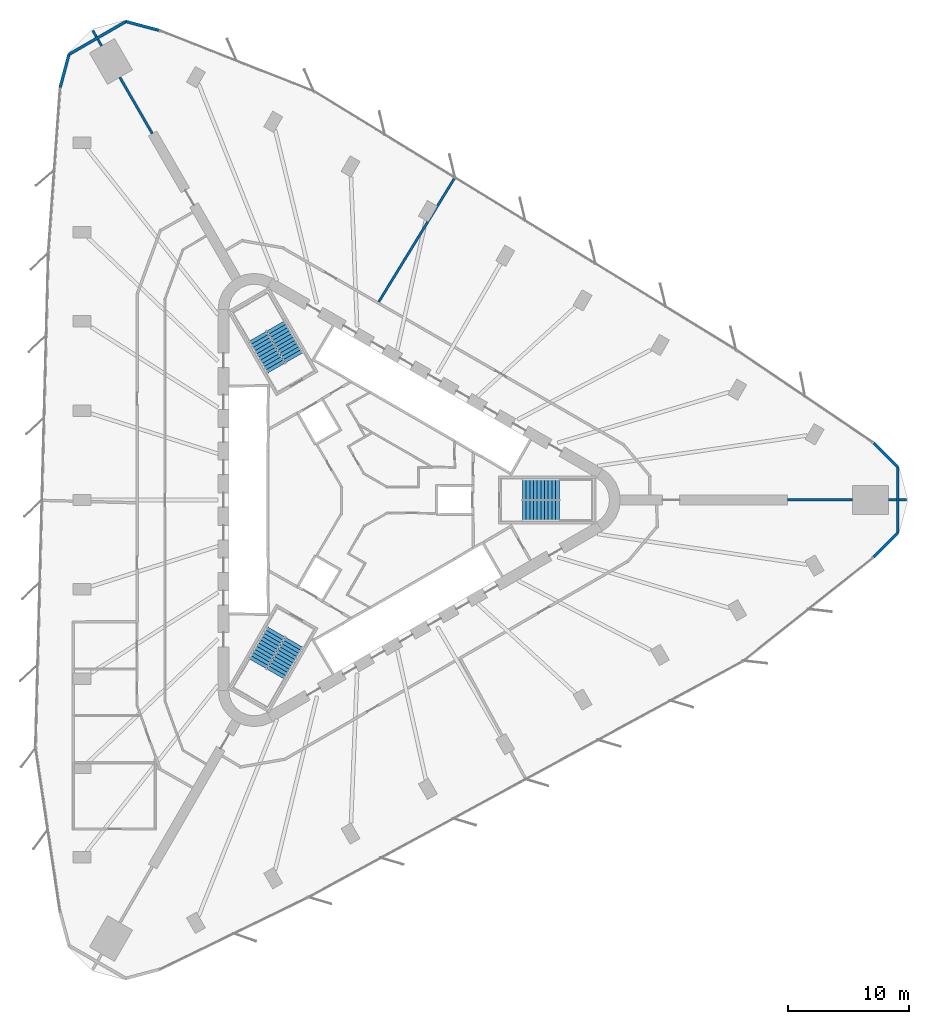
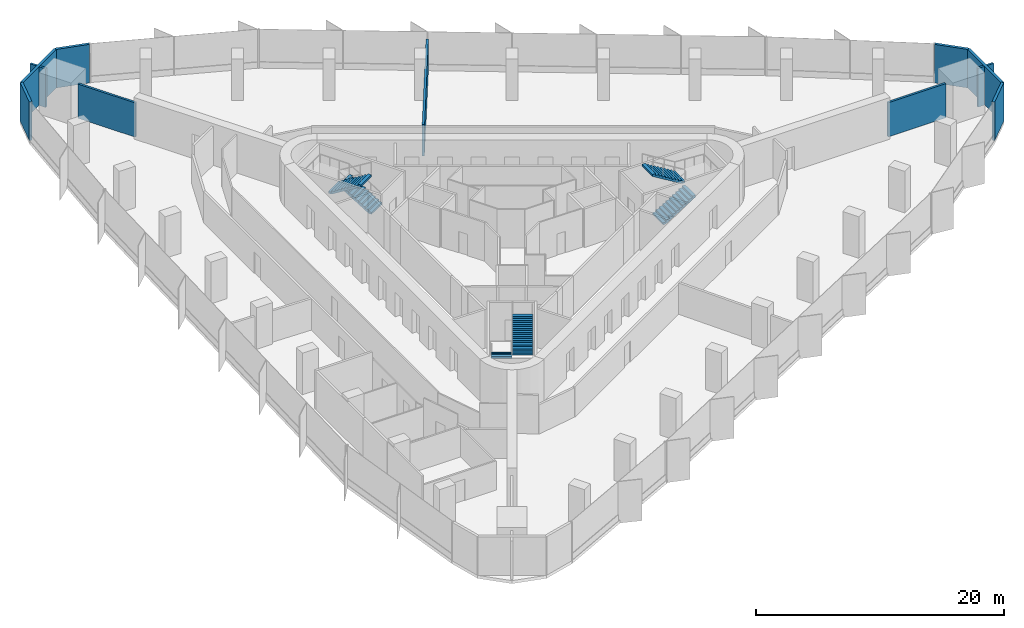
# One storey, part 12 of 13: 13 walls, 6 stair flights, 3 elements without a shape of their own.
"""IFC4 building model written with IfcOpenShell, lengths in metres."""

import ifcopenshell
import ifcopenshell.guid

model = None  # the IFC model being written
_history = None  # IfcOwnerHistory: only IFC2X3 demands one
_inside = {}  # id of a spatial element -> (the spatial element, [elements in it])
_under = {}  # id of a project, library or spatial element -> (it, [spatial elements below it])
_declared = {}  # id of a project -> (the project, [libraries it declares])
_typed = {}  # id of a type object -> (the type object, [elements of that type])
_made_of = {}  # id of a material, layer set ... -> (it, [elements and type objects made of it])


def new_model(schema):
    """Start an empty IFC model of exactly this schema.

    Asked for "IFC4X3", IfcOpenShell would pick the latest addendum, in which some entities
    have other attributes; the version numbers below select the first issue.
    IFC2X3 requires an IfcOwnerHistory on every rooted entity: one is made here for all.
    """
    global model, _history
    if schema == "IFC4X3":
        model = ifcopenshell.file(schema_version=(4, 3, 0, 0))
    else:
        model = ifcopenshell.file(schema=schema)
    _inside.clear()
    _under.clear()
    _declared.clear()
    _typed.clear()
    _made_of.clear()
    _history = None
    if model.schema == "IFC2X3":
        org = make("IfcOrganization", Name="unknown")
        user = make(
            "IfcPersonAndOrganization",
            ThePerson=make("IfcPerson", FamilyName="unknown"),
            TheOrganization=org,
        )
        app = make(
            "IfcApplication",
            ApplicationDeveloper=org,
            Version="unknown",
            ApplicationFullName="unknown",
            ApplicationIdentifier="unknown",
        )
        _history = make(
            "IfcOwnerHistory",
            OwningUser=user,
            OwningApplication=app,
            ChangeAction="ADDED",
            CreationDate=0,
        )
    return model


def make(cls, **values):
    """One entity of the class cls with the attributes given. An attribute that is None is left unset."""
    return model.create_entity(
        cls, **{name: value for name, value in values.items() if value is not None}
    )


def rooted(cls, **values):
    """An entity with a GlobalId (a new one), such as an element, a storey or a relation."""
    return make(cls, GlobalId=ifcopenshell.guid.new(), OwnerHistory=_history, **values)


def si_unit(unit_type, name, prefix=None):
    """IfcSIUnit, for example si_unit("LENGTHUNIT", "METRE", prefix="MILLI")."""
    return make("IfcSIUnit", UnitType=unit_type, Prefix=prefix, Name=name)


def assignment(units):
    """IfcUnitAssignment: the units of a project."""
    return None if units is None else make("IfcUnitAssignment", Units=units)


def point(xyz):
    """IfcCartesianPoint."""
    return None if xyz is None else make("IfcCartesianPoint", Coordinates=xyz)


def direction(xyz):
    """IfcDirection."""
    return None if xyz is None else make("IfcDirection", DirectionRatios=xyz)


def frame(location, z_axis=None, x_axis=None):
    """IfcAxis2Placement3D, a coordinate frame: its origin and axes. An axis left out is left unset."""
    return make(
        "IfcAxis2Placement3D",
        Location=point(location),
        Axis=direction(z_axis),
        RefDirection=direction(x_axis),
    )


def frame_2d(location, x_axis=None):
    """IfcAxis2Placement2D, a coordinate frame in the plane: its origin and x axis."""
    return make(
        "IfcAxis2Placement2D", Location=point(location), RefDirection=direction(x_axis)
    )


def origin():
    """The frame at (0, 0, 0) with its axes left unset."""
    return frame((0.0, 0.0, 0.0))


def place(relative_to, where):
    """IfcLocalPlacement: puts the frame where relative to a parent placement (None: the world)."""
    return make(
        "IfcLocalPlacement", PlacementRelTo=relative_to, RelativePlacement=where
    )


def context(
    kind, dimensions, precision=None, world=None, true_north=None, identifier=None
):
    """IfcGeometricRepresentationContext, for example the 3D "Model" context."""
    return make(
        "IfcGeometricRepresentationContext",
        ContextIdentifier=identifier,
        ContextType=kind,
        CoordinateSpaceDimension=dimensions,
        Precision=precision,
        WorldCoordinateSystem=world,
        TrueNorth=true_north,
    )


def subcontext(parent, identifier, kind, view, scale=None):
    """IfcGeometricRepresentationSubContext, for example "Body" below "Model"."""
    return make(
        "IfcGeometricRepresentationSubContext",
        ContextIdentifier=identifier,
        ContextType=kind,
        ParentContext=parent,
        TargetScale=scale,
        TargetView=view,
    )


def project(units=None, contexts=None):
    """IfcProject with its units and contexts."""
    return rooted(
        "IfcProject",
        Name="project",
        RepresentationContexts=contexts,
        UnitsInContext=assignment(units),
    )


def spatial(cls, under=None, at=None, **own):
    """A site, building, storey or space (cls), placed at a placement, below another one or the project."""
    s = rooted(cls, ObjectPlacement=at, **own)
    if under is not None:
        _under.setdefault(under.id(), (under, []))[1].append(s)
    return s


def polyline(points):
    """IfcPolyline through the points."""
    return make("IfcPolyline", Points=[point(p) for p in points])


def profile(cls, at=None, kind="AREA", **sizes):
    """A parametric profile (cls). Its sizes go by their IFC names, for example OverallWidth=200.0."""
    return make(cls, ProfileType=kind, Position=at, **sizes)


def rectangle(**sizes):
    """IfcRectangleProfileDef."""
    return profile("IfcRectangleProfileDef", **sizes)


def outline(outer, holes=None, kind="AREA"):
    """IfcArbitraryClosedProfileDef: a profile drawn as a closed curve; with holes, ...WithVoids."""
    if holes is None:
        return make("IfcArbitraryClosedProfileDef", ProfileType=kind, OuterCurve=outer)
    return make(
        "IfcArbitraryProfileDefWithVoids",
        ProfileType=kind,
        OuterCurve=outer,
        InnerCurves=holes,
    )


def extrude(swept, where, along, depth):
    """IfcExtrudedAreaSolid: the profile swept, set in the frame where, extruded along a direction by depth."""
    return make(
        "IfcExtrudedAreaSolid",
        SweptArea=swept,
        Position=where,
        ExtrudedDirection=direction(along),
        Depth=depth,
    )


def shape(context_of_items, identifier, shape_type, items):
    """IfcShapeRepresentation: the items that make up one representation, for example the "Body"."""
    return make(
        "IfcShapeRepresentation",
        ContextOfItems=context_of_items,
        RepresentationIdentifier=identifier,
        RepresentationType=shape_type,
        Items=items,
    )


def material(Name=None, Category=None):
    """IfcMaterial."""
    return make("IfcMaterial", Name=Name, Category=Category)


def layer(
    of_material, thickness, ventilated=None, Name=None, Category=None, Priority=None
):
    """IfcMaterialLayer: one layer of a wall or slab, of a material (None: an air gap)."""
    return make(
        "IfcMaterialLayer",
        Material=of_material,
        LayerThickness=thickness,
        IsVentilated=ventilated,
        Name=Name,
        Category=Category,
        Priority=Priority,
    )


def layer_set(layers, Name=None):
    """IfcMaterialLayerSet."""
    return make("IfcMaterialLayerSet", MaterialLayers=layers, LayerSetName=Name)


def made_of(thing, what):
    """Note that an element or type object is made of a material, layer set ...; save() writes the relation."""
    if what is not None:
        _made_of.setdefault(what.id(), (what, []))[1].append(thing)
    return thing


def type_object(cls, material=None, **own):
    """A type object (cls), such as IfcWallType, which elements share."""
    return made_of(rooted(cls, **own), material)


def element(
    cls,
    number,
    at=None,
    inside=None,
    cuts=None,
    type_object=None,
    material=None,
    context=None,
    identifier="Body",
    shape_type=None,
    held_by="IfcProductDefinitionShape",
    body=None,
    shapes=None,
    **own,
):
    """One element of the class cls, such as IfcWall. Its Tag is "e" and its number.

    at: its placement. inside: the storey or other place that contains it. cuts: it is an
    opening in that element (IfcRelVoidsElement). A single representation is given by context,
    identifier, shape_type and body (its items); several are given by shapes. held_by: the class
    of the entity that holds the representations. save() writes the other relations.
    """
    e = rooted(cls, Tag="e%d" % number, ObjectPlacement=at, **own)
    if body is not None:
        shapes = [shape(context, identifier, shape_type, body)]
    if shapes is not None:
        e.Representation = make(held_by, Representations=shapes)
    if inside is not None:
        _inside.setdefault(inside.id(), (inside, []))[1].append(e)
    if cuts is not None:
        rooted(
            "IfcRelVoidsElement", RelatingBuildingElement=cuts, RelatedOpeningElement=e
        )
    if type_object is not None:
        _typed.setdefault(type_object.id(), (type_object, []))[1].append(e)
    return made_of(e, material)


def aggregate(whole, parts):
    """IfcRelAggregates: a whole, such as a stair, and the parts it consists of."""
    return rooted("IfcRelAggregates", RelatingObject=whole, RelatedObjects=parts)


def save(model, path):
    """Write the relations noted so far, then the file.

    IfcRelAggregates (storeys below a building ...), IfcRelContainedInSpatialStructure (elements
    in a storey), IfcRelDefinesByType, IfcRelAssociatesMaterial and IfcRelDeclares: one each for
    every whole, place, type object, material and project.
    """
    for whole, parts in _under.values():
        aggregate(whole, parts)
    for where, things in _inside.values():
        rooted(
            "IfcRelContainedInSpatialStructure",
            RelatedElements=things,
            RelatingStructure=where,
        )
    for kind, things in _typed.values():
        rooted("IfcRelDefinesByType", RelatedObjects=things, RelatingType=kind)
    for what, things in _made_of.values():
        rooted("IfcRelAssociatesMaterial", RelatedObjects=things, RelatingMaterial=what)
    for by, libraries in _declared.values():
        rooted("IfcRelDeclares", RelatingContext=by, RelatedDefinitions=libraries)
    model.write(path)


model = new_model("IFC4")

# Units and contexts
model_context = context("Model", 3, precision=1e-05, world=origin(), true_north=direction((0.0, 1.0)))
body_context = subcontext(model_context, "Body", "Model", "MODEL_VIEW")
ifc_project = project(units=[si_unit("LENGTHUNIT", "METRE"), si_unit("AREAUNIT", "SQUARE_METRE"), si_unit("VOLUMEUNIT", "CUBIC_METRE"), si_unit("PLANEANGLEUNIT", "RADIAN"), si_unit("MASSUNIT", "GRAM", prefix="KILO")], contexts=[model_context])

# Site, building, storey
site_placement = place(None, origin())
site = spatial("IfcSite", under=ifc_project, at=site_placement, CompositionType="ELEMENT")
building_placement = place(site_placement, origin())
building = spatial("IfcBuilding", under=site, at=building_placement, Name="Tanit Gate Tower", CompositionType="ELEMENT")
storey_placement = place(building_placement, frame((0.0, 0.0, 66.0)))
storey = spatial("IfcBuildingStorey", under=building, at=storey_placement, Name="L12", CompositionType="ELEMENT", Elevation=66.0)

# Walls
ifc_material_1 = material(Name="Concrete C30/37 with bronze anodised aluminium cladding", Category="concrete")
ifc_layer_1 = layer(ifc_material_1, 0.239990234375)
ifc_layer_set_1 = layer_set([ifc_layer_1], Name="Facade wall bronze clad 240")
wall_type_1 = type_object("IfcWallType", Name="Facade wall bronze clad 240", PredefinedType="SOLIDWALL", material=ifc_layer_set_1)
wall_1_placement = place(storey_placement, frame((-16.968994140625, 38.868896484375, 0.0), z_axis=(0.0, 0.0, 1.0), x_axis=(-0.965929678743, 0.258804667121, 0.0)))
element("IfcWall", 1, at=wall_1_placement, inside=storey, type_object=wall_type_1, Name="Bronze-clad facade wall L12 NW.arc1", PredefinedType="SOLIDWALL", context=body_context, shape_type="SweptSolid", body=[
    extrude(rectangle(XDim=2.846923828125, YDim=0.239990234375, at=frame_2d((1.42333984375, 0.0))), origin(), (0.0, 0.0, 1.0), 3.800048828125),
])
wall_2_placement = place(storey_placement, frame((-19.718994140625, 39.605712890625, 0.0), z_axis=(0.0, 0.0, 1.0), x_axis=(-0.866029712004, -0.499992537871, 0.0)))
element("IfcWall", 2, at=wall_2_placement, inside=storey, type_object=wall_type_1, Name="Bronze-clad facade wall L12 NW.arc2", PredefinedType="SOLIDWALL", context=body_context, shape_type="SweptSolid", body=[
    extrude(rectangle(XDim=5.451171875, YDim=0.239990234375, at=frame_2d((2.7255859375, 0.0))), origin(), (0.0, 0.0, 1.0), 3.800048828125),
])
wall_3_placement = place(storey_placement, frame((-24.43994140625, 36.880126953125, 0.0), z_axis=(0.0, 0.0, 1.0), x_axis=(-0.258870602714, -0.965912009994, 0.0)))
element("IfcWall", 3, at=wall_3_placement, inside=storey, type_object=wall_type_1, Name="Bronze-clad facade wall L12 NW.arc3", PredefinedType="SOLIDWALL", context=body_context, shape_type="SweptSolid", body=[
    extrude(rectangle(XDim=2.842529296875, YDim=0.239990234375, at=frame_2d((1.42138671875, 0.0))), origin(), (0.0, 0.0, 1.0), 3.800048828125),
])
wall_4_placement = place(storey_placement, frame((42.14599609375, -4.73876953125, 0.0), z_axis=(0.0, 0.0, 1.0), x_axis=(0.707106781187, 0.707106781187, 0.0)))
element("IfcWall", 4, at=wall_4_placement, inside=storey, type_object=wall_type_1, Name="Bronze-clad facade wall L12 E.arc1", PredefinedType="SOLIDWALL", context=body_context, shape_type="SweptSolid", body=[
    extrude(rectangle(XDim=2.84716796875, YDim=0.239990234375, at=frame_2d((1.423583984375, 0.0))), origin(), (0.0, 0.0, 1.0), 3.800048828125),
])
wall_5_placement = place(storey_placement, frame((44.1591796875, -2.7255859375, 0.0), z_axis=(0.0, 0.0, 1.0), x_axis=(0.0, 1.0, 0.0)))
element("IfcWall", 5, at=wall_5_placement, inside=storey, type_object=wall_type_1, Name="Bronze-clad facade wall L12 E.arc2", PredefinedType="SOLIDWALL", context=body_context, shape_type="SweptSolid", body=[
    extrude(rectangle(XDim=5.451171875, YDim=0.239990234375, at=frame_2d((2.7255859375, 0.0))), origin(), (0.0, 0.0, 1.0), 3.800048828125),
])
wall_6_placement = place(storey_placement, frame((44.1591796875, 2.7255859375, 0.0), z_axis=(0.0, 0.0, 1.0), x_axis=(-0.707106781187, 0.707106781187, 0.0)))
element("IfcWall", 6, at=wall_6_placement, inside=storey, type_object=wall_type_1, Name="Bronze-clad facade wall L12 E.arc3", PredefinedType="SOLIDWALL", context=body_context, shape_type="SweptSolid", body=[
    extrude(rectangle(XDim=2.842529296875, YDim=0.239990234375, at=frame_2d((1.42138671875, 0.0))), origin(), (0.0, 0.0, 1.0), 3.800048828125),
])
ifc_material_2 = material(Name="Fire-rated gypsum board partition")
ifc_layer_2 = layer(ifc_material_2, 0.199951171875)
ifc_layer_set_2 = layer_set([ifc_layer_2], Name="INT-WALL-COMPARTMENT")
wall_type_2 = type_object("IfcWallType", Name="INT-WALL-COMPARTMENT", PredefinedType="PARTITIONING", material=ifc_layer_set_2)
wall_7_placement = place(storey_placement, frame((-22.466552734375, 38.853515625, 0.0), z_axis=(0.0, 0.0, 1.0), x_axis=(0.499757541684, -0.866165341912, 0.0)))
element("IfcWall", 7, at=wall_7_placement, inside=storey, type_object=wall_type_2, Name="Wall Compartment W124", PredefinedType="PARTITIONING", context=body_context, shape_type="SweptSolid", body=[
    extrude(rectangle(XDim=0.602294921875, YDim=0.199951171875, at=frame_2d((0.30126953125, 0.0))), origin(), (0.0, 0.0, 1.0), 3.800048828125),
])
wall_8_placement = place(storey_placement, frame((-22.04541015625, 38.1240234375, 0.0), z_axis=(0.0, 0.0, 1.0), x_axis=(0.49966612908, -0.86621807846, 0.0)))
element("IfcWall", 8, at=wall_8_placement, inside=storey, type_object=wall_type_2, Name="Wall Compartment W124x1", PredefinedType="PARTITIONING", context=body_context, shape_type="SweptSolid", body=[
    extrude(rectangle(XDim=0.62548828125, YDim=0.199951171875, at=frame_2d((0.312744140625, 0.0))), origin(), (0.0, 0.0, 1.0), 3.800048828125),
])
wall_9_placement = place(storey_placement, frame((-20.23291015625, 34.984130859375, 0.0), z_axis=(0.0, 0.0, 1.0), x_axis=(0.500014458952, -0.866017055744, 0.0)))
element("IfcWall", 9, at=wall_9_placement, inside=storey, type_object=wall_type_2, Name="Wall Compartment W125", PredefinedType="PARTITIONING", context=body_context, shape_type="SweptSolid", body=[
    extrude(rectangle(XDim=5.379638671875, YDim=0.199951171875, at=frame_2d((2.68994140625, 0.0))), origin(), (0.0, 0.0, 1.0), 3.3701171875),
])
wall_10_placement = place(storey_placement, frame((7.503173828125, 26.68505859375, 0.0), z_axis=(0.0, 0.0, 1.0), x_axis=(-0.522270694587, -0.852779761472, 0.0)))
element("IfcWall", 10, at=wall_10_placement, inside=storey, type_object=wall_type_2, Name="Wall Compartment W126", PredefinedType="PARTITIONING", context=body_context, shape_type="SweptSolid", body=[
    extrude(rectangle(XDim=12.065673828125, YDim=0.199951171875, at=frame_2d((6.03271484375, 0.0))), origin(), (0.0, 0.0, 1.0), 3.080078125),
])
wall_11_placement = place(storey_placement, frame((35.033935546875, 0.02001953125, 0.0), z_axis=(0.0, 0.0, 1.0), x_axis=(0.999998268947, 0.001860672976, 0.0)))
element("IfcWall", 11, at=wall_11_placement, inside=storey, type_object=wall_type_2, Name="Wall Compartment W127", PredefinedType="PARTITIONING", context=body_context, shape_type="SweptSolid", body=[
    extrude(rectangle(XDim=5.379638671875, YDim=0.199951171875, at=frame_2d((2.68994140625, 0.0))), origin(), (0.0, 0.0, 1.0), 3.3701171875),
])
wall_12_placement = place(storey_placement, frame((43.41357421875, 0.030029296875, 0.0), z_axis=(0.0, 0.0, 1.0), x_axis=(1.0, 0.0, 0.0)))
element("IfcWall", 12, at=wall_12_placement, inside=storey, type_object=wall_type_2, Name="Wall Compartment W128", PredefinedType="PARTITIONING", context=body_context, shape_type="SweptSolid", body=[
    extrude(rectangle(XDim=0.62548828125, YDim=0.199951171875, at=frame_2d((0.312744140625, 0.0))), origin(), (0.0, 0.0, 1.0), 3.800048828125),
])
wall_13_placement = place(storey_placement, frame((44.279052734375, 0.030029296875, 0.0), z_axis=(0.0, 0.0, 1.0), x_axis=(1.0, 0.0, 0.0)))
element("IfcWall", 13, at=wall_13_placement, inside=storey, type_object=wall_type_2, Name="Wall Compartment W128x1", PredefinedType="PARTITIONING", context=body_context, shape_type="SweptSolid", body=[
    extrude(rectangle(XDim=0.602294921875, YDim=0.199951171875, at=frame_2d((0.30126953125, 0.0))), origin(), (0.0, 0.0, 1.0), 3.800048828125),
])

# Stair, stair flights
ifc_material_3 = material(Name="Concrete C40/50", Category="concrete")
stair_type = type_object("IfcStairType", Name="INT-STAIR-EXIT", PredefinedType="HALF_TURN_STAIR", material=ifc_material_3)
stair_1_placement = place(storey_placement, origin())
stair_1 = element("IfcStair", 14, at=stair_1_placement, inside=storey, type_object=stair_type, Name="L12 STAIR S1", PredefinedType="HALF_TURN_STAIR")
ifc_material_4 = material(Name="Concrete C40/50", Category="concrete")
stair_flight_type = type_object("IfcStairFlightType", Name="INT-STAIR-FLIGHT", PredefinedType="STRAIGHT", material=ifc_material_4)
stair_flight_1_placement = place(storey_placement, frame((13.094970703125, -0.8525390625, 0.0), z_axis=(0.0, 0.0, 1.0), x_axis=(1.0, 0.0, 0.0)))
stair_flight_1 = element("IfcStairFlight", 15, at=stair_flight_1_placement, type_object=stair_flight_type, Name="S1 flight 1", NumberOfRisers=11, NumberOfTreads=10, PredefinedType="STRAIGHT", RiserHeight=0.186363636, TreadLength=0.3051, context=body_context, shape_type="SweptSolid", body=[
    extrude(outline(polyline([(0.0, 0.0), (0.0, 0.186279296875), (0.30517578125, 0.186279296875), (0.30517578125, 0.372802734375), (0.610107421875, 0.372802734375), (0.610107421875, 0.55908203125), (0.915283203125, 0.55908203125), (0.915283203125, 0.745361328125), (1.220458984375, 0.745361328125), (1.220458984375, 0.931884765625), (1.525390625, 0.931884765625), (1.525390625, 1.1181640625), (1.83056640625, 1.1181640625), (1.83056640625, 1.304443359375), (2.1357421875, 1.304443359375), (2.1357421875, 1.490966796875), (2.44091796875, 1.490966796875), (2.44091796875, 1.67724609375), (2.745849609375, 1.67724609375), (2.745849609375, 1.863525390625), (3.051025390625, 1.863525390625), (3.051025390625, 2.050048828125), (3.051025390625, 1.68798828125), (0.28759765625, 0.0), (0.0, 0.0)])), frame((0.0, 0.84765625, 0.0), z_axis=(0.0, -1.0, 0.0), x_axis=(1.0, 0.0, 0.0)), (0.0, 0.0, 1.0), 1.695068359375),
])
stair_flight_2_placement = place(storey_placement, frame((16.14599609375, 0.8525390625, 2.050048828125), z_axis=(0.0, 0.0, 1.0), x_axis=(-1.0, 0.0, 0.0)))
stair_flight_2 = element("IfcStairFlight", 16, at=stair_flight_2_placement, type_object=stair_flight_type, Name="S1 flight 2", NumberOfRisers=11, NumberOfTreads=10, PredefinedType="STRAIGHT", RiserHeight=0.186363636, TreadLength=0.3051, context=body_context, shape_type="SweptSolid", body=[
    extrude(outline(polyline([(0.0, 0.0), (0.0, 0.186279296875), (0.30517578125, 0.186279296875), (0.30517578125, 0.372802734375), (0.610107421875, 0.372802734375), (0.610107421875, 0.55908203125), (0.915283203125, 0.55908203125), (0.915283203125, 0.745361328125), (1.220458984375, 0.745361328125), (1.220458984375, 0.931884765625), (1.525390625, 0.931884765625), (1.525390625, 1.1181640625), (1.83056640625, 1.1181640625), (1.83056640625, 1.304443359375), (2.1357421875, 1.304443359375), (2.1357421875, 1.490966796875), (2.44091796875, 1.490966796875), (2.44091796875, 1.67724609375), (2.745849609375, 1.67724609375), (2.745849609375, 1.863525390625), (3.051025390625, 1.863525390625), (3.051025390625, 2.050048828125), (3.051025390625, 1.68798828125), (0.28759765625, 0.0), (0.0, 0.0)])), frame((0.0, 0.84765625, 0.0), z_axis=(0.0, -1.0, 0.0), x_axis=(1.0, 0.0, 0.0)), (0.0, 0.0, 1.0), 1.695068359375),
])
aggregate(stair_1, [stair_flight_1, stair_flight_2])

stair_2_placement = place(storey_placement, origin())
stair_2 = element("IfcStair", 17, at=stair_2_placement, inside=storey, type_object=stair_type, Name="L12 STAIR S2", PredefinedType="HALF_TURN_STAIR")
stair_flight_3_placement = place(storey_placement, frame((-5.808349609375, 11.766357421875, 0.0), z_axis=(0.0, 0.0, 1.0), x_axis=(-0.5, 0.866025403784, 0.0)))
stair_flight_3 = element("IfcStairFlight", 18, at=stair_flight_3_placement, type_object=stair_flight_type, Name="S2 flight 1", NumberOfRisers=11, NumberOfTreads=10, PredefinedType="STRAIGHT", RiserHeight=0.186363636, TreadLength=0.30492, context=body_context, shape_type="SweptSolid", body=[
    extrude(outline(polyline([(0.0, 0.0), (0.0, 0.186279296875), (0.304931640625, 0.186279296875), (0.304931640625, 0.372802734375), (0.60986328125, 0.372802734375), (0.60986328125, 0.55908203125), (0.914794921875, 0.55908203125), (0.914794921875, 0.745361328125), (1.2197265625, 0.745361328125), (1.2197265625, 0.931884765625), (1.524658203125, 0.931884765625), (1.524658203125, 1.1181640625), (1.82958984375, 1.1181640625), (1.82958984375, 1.304443359375), (2.134521484375, 1.304443359375), (2.134521484375, 1.490966796875), (2.439453125, 1.490966796875), (2.439453125, 1.67724609375), (2.744384765625, 1.67724609375), (2.744384765625, 1.863525390625), (3.04931640625, 1.863525390625), (3.04931640625, 2.050048828125), (3.04931640625, 1.68798828125), (0.287353515625, 0.0), (0.0, 0.0)])), frame((0.0, 0.84716796875, 0.0), z_axis=(0.0, -1.0, 0.0), x_axis=(1.0, 0.0, 0.0)), (0.0, 0.0, 1.0), 1.694091796875),
])
stair_flight_4_placement = place(storey_placement, frame((-8.810302734375, 13.553955078125, 2.050048828125), z_axis=(0.0, 0.0, 1.0), x_axis=(0.5, -0.866025403784, 0.0)))
stair_flight_4 = element("IfcStairFlight", 19, at=stair_flight_4_placement, type_object=stair_flight_type, Name="S2 flight 2", NumberOfRisers=11, NumberOfTreads=10, PredefinedType="STRAIGHT", RiserHeight=0.186363636, TreadLength=0.30492, context=body_context, shape_type="SweptSolid", body=[
    extrude(outline(polyline([(0.0, 0.0), (0.0, 0.186279296875), (0.304931640625, 0.186279296875), (0.304931640625, 0.372802734375), (0.60986328125, 0.372802734375), (0.60986328125, 0.55908203125), (0.914794921875, 0.55908203125), (0.914794921875, 0.745361328125), (1.2197265625, 0.745361328125), (1.2197265625, 0.931884765625), (1.524658203125, 0.931884765625), (1.524658203125, 1.1181640625), (1.82958984375, 1.1181640625), (1.82958984375, 1.304443359375), (2.134521484375, 1.304443359375), (2.134521484375, 1.490966796875), (2.439453125, 1.490966796875), (2.439453125, 1.67724609375), (2.744384765625, 1.67724609375), (2.744384765625, 1.863525390625), (3.04931640625, 1.863525390625), (3.04931640625, 2.050048828125), (3.04931640625, 1.68798828125), (0.287353515625, 0.0), (0.0, 0.0)])), frame((0.0, 0.84716796875, 0.0), z_axis=(0.0, -1.0, 0.0), x_axis=(1.0, 0.0, 0.0)), (0.0, 0.0, 1.0), 1.694091796875),
])
aggregate(stair_2, [stair_flight_3, stair_flight_4])

stair_3_placement = place(storey_placement, origin())
stair_3 = element("IfcStair", 20, at=stair_3_placement, inside=storey, type_object=stair_type, Name="L12 STAIR S3", PredefinedType="HALF_TURN_STAIR")
stair_flight_5_placement = place(storey_placement, frame((-7.285888671875, -10.914306640625, 0.0), z_axis=(0.0, 0.0, 1.0), x_axis=(-0.5, -0.866025403784, 0.0)))
stair_flight_5 = element("IfcStairFlight", 21, at=stair_flight_5_placement, type_object=stair_flight_type, Name="S3 flight 1", NumberOfRisers=11, NumberOfTreads=10, PredefinedType="STRAIGHT", RiserHeight=0.186363636, TreadLength=0.3051, context=body_context, shape_type="SweptSolid", body=[
    extrude(outline(polyline([(0.0, 0.0), (0.0, 0.186279296875), (0.30517578125, 0.186279296875), (0.30517578125, 0.372802734375), (0.610107421875, 0.372802734375), (0.610107421875, 0.55908203125), (0.915283203125, 0.55908203125), (0.915283203125, 0.745361328125), (1.220458984375, 0.745361328125), (1.220458984375, 0.931884765625), (1.525390625, 0.931884765625), (1.525390625, 1.1181640625), (1.83056640625, 1.1181640625), (1.83056640625, 1.304443359375), (2.1357421875, 1.304443359375), (2.1357421875, 1.490966796875), (2.44091796875, 1.490966796875), (2.44091796875, 1.67724609375), (2.745849609375, 1.67724609375), (2.745849609375, 1.863525390625), (3.051025390625, 1.863525390625), (3.051025390625, 2.050048828125), (3.051025390625, 1.68798828125), (0.28759765625, 0.0), (0.0, 0.0)])), frame((0.0, 0.84765625, 0.0), z_axis=(0.0, -1.0, 0.0), x_axis=(1.0, 0.0, 0.0)), (0.0, 0.0, 1.0), 1.695068359375),
])
stair_flight_6_placement = place(storey_placement, frame((-7.334716796875, -14.4091796875, 2.050048828125), z_axis=(0.0, 0.0, 1.0), x_axis=(0.5, 0.866025403784, 0.0)))
stair_flight_6 = element("IfcStairFlight", 22, at=stair_flight_6_placement, type_object=stair_flight_type, Name="S3 flight 2", NumberOfRisers=11, NumberOfTreads=10, PredefinedType="STRAIGHT", RiserHeight=0.186363636, TreadLength=0.3051, context=body_context, shape_type="SweptSolid", body=[
    extrude(outline(polyline([(0.0, 0.0), (0.0, 0.186279296875), (0.30517578125, 0.186279296875), (0.30517578125, 0.372802734375), (0.610107421875, 0.372802734375), (0.610107421875, 0.55908203125), (0.915283203125, 0.55908203125), (0.915283203125, 0.745361328125), (1.220458984375, 0.745361328125), (1.220458984375, 0.931884765625), (1.525390625, 0.931884765625), (1.525390625, 1.1181640625), (1.83056640625, 1.1181640625), (1.83056640625, 1.304443359375), (2.1357421875, 1.304443359375), (2.1357421875, 1.490966796875), (2.44091796875, 1.490966796875), (2.44091796875, 1.67724609375), (2.745849609375, 1.67724609375), (2.745849609375, 1.863525390625), (3.051025390625, 1.863525390625), (3.051025390625, 2.050048828125), (3.051025390625, 1.68798828125), (0.28759765625, 0.0), (0.0, 0.0)])), frame((0.0, 0.84765625, 0.0), z_axis=(0.0, -1.0, 0.0), x_axis=(1.0, 0.0, 0.0)), (0.0, 0.0, 1.0), 1.695068359375),
])
aggregate(stair_3, [stair_flight_5, stair_flight_6])

save(model, "model.ifc")
